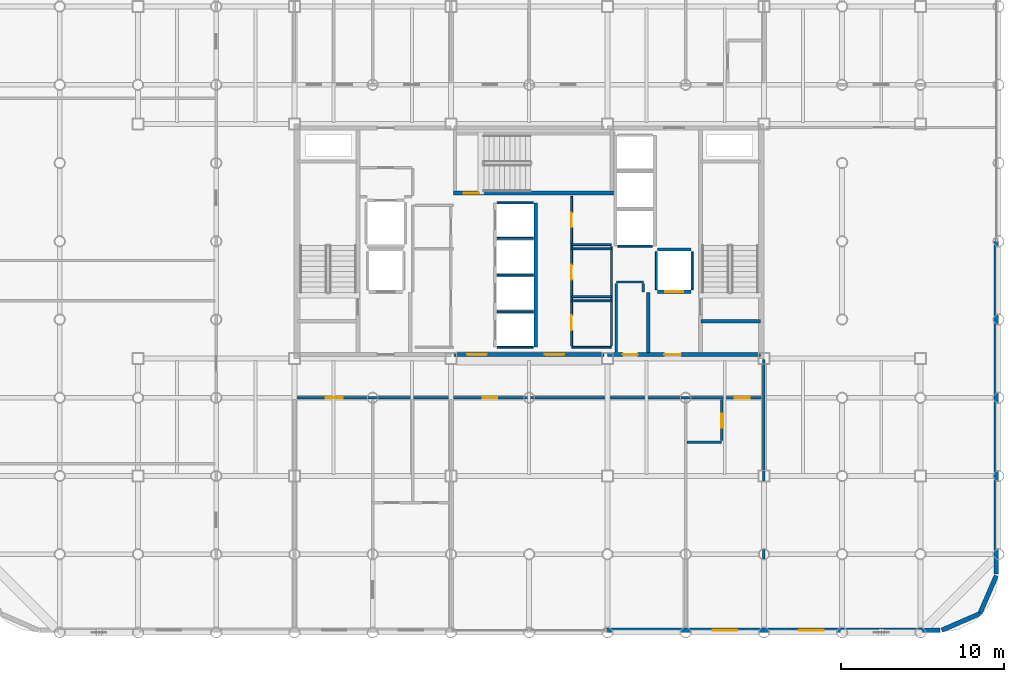
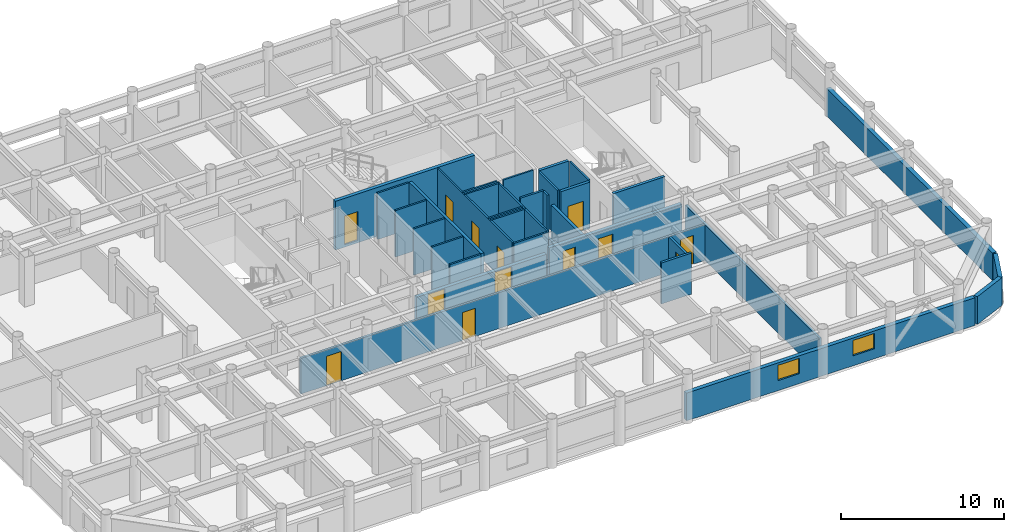
# One storey, part 17 of 20: 34 walls, 13 doors, 2 windows, 15 openings.
"""IFC4 building model written with IfcOpenShell, lengths in metres."""

from ifc_helpers import new_model, si_unit, direction, frame, frame_2d, origin, place, context, subcontext, project, spatial, rectangle, extrude, material, layer, layer_set, type_object, element, fill, save


model = new_model("IFC4")

# Units and contexts
model_context = context("Model", 3, precision=1e-05, world=origin(), true_north=direction((0.0, 1.0)))
body_context = subcontext(model_context, "Body", "Model", "MODEL_VIEW")
ifc_project = project(units=[si_unit("LENGTHUNIT", "METRE"), si_unit("AREAUNIT", "SQUARE_METRE"), si_unit("VOLUMEUNIT", "CUBIC_METRE"), si_unit("PLANEANGLEUNIT", "RADIAN"), si_unit("MASSUNIT", "GRAM", prefix="KILO")], contexts=[model_context])

# Site, building, storey
site_placement = place(None, origin())
site = spatial("IfcSite", under=ifc_project, at=site_placement, CompositionType="ELEMENT")
building_placement = place(site_placement, origin())
building = spatial("IfcBuilding", under=site, at=building_placement, Name="Kallvorn Hotel Tower", CompositionType="ELEMENT")
storey_placement = place(building_placement, frame((0.0, 0.0, 176.60009765625)))
storey = spatial("IfcBuildingStorey", under=building, at=storey_placement, Name="L44", CompositionType="ELEMENT", Elevation=176.60009765625)

# Wall
ifc_material_1 = material(Name="Fire-rated double-layer acoustic gypsum drywall EI 60")
ifc_layer_1 = layer(ifc_material_1, 0.159912109375)
ifc_layer_set_1 = layer_set([ifc_layer_1], Name="WL_DEMISE_160")
wall_type_1 = type_object("IfcWallType", Name="WL_DEMISE_160", PredefinedType="PARTITIONING", material=ifc_layer_set_1)
wall_1_placement = place(storey_placement, frame((9.679931640625, -12.320068359375, 0.0), z_axis=(0.0, 0.0, 1.0), x_axis=(1.0, 0.0, 0.0)))
element("IfcWall", 1, at=wall_1_placement, inside=storey, type_object=wall_type_1, Name="L44 Suite 4402 Deluxe King Room Partition", PredefinedType="PARTITIONING", context=body_context, shape_type="SweptSolid", body=[
    extrude(rectangle(XDim=2.130126953125, YDim=0.159912109375, at=frame_2d((1.06494140625, 0.0))), origin(), (0.0, 0.0, 1.0), 3.079833984375),
])

# Wall, openings, doors
wall_2_placement = place(storey_placement, frame((-14.320068359375, -9.60009765625, 0.0), z_axis=(0.0, 0.0, 1.0), x_axis=(1.0, 0.0, 0.0)))
wall_2 = element("IfcWall", 2, at=wall_2_placement, inside=storey, type_object=wall_type_1, Name="L44 Suite 4401 Executive Living Salon Partition", PredefinedType="PARTITIONING", context=body_context, shape_type="SweptSolid", body=[
    extrude(rectangle(XDim=28.64013671875, YDim=0.159912109375, at=frame_2d((14.320068359375, 0.0))), origin(), (0.0, 0.0, 1.0), 2.679931640625),
])
opening_1_placement = place(wall_2_placement, frame((1.8349609375, 0.0, 0.0)))
opening_1 = element("IfcOpeningElement", 3, at=opening_1_placement, cuts=wall_2, Name="Opening GD2", PredefinedType="OPENING", context=body_context, shape_type="SweptSolid", body=[
    extrude(rectangle(XDim=1.050048828125, YDim=2.199951171875, at=frame_2d((0.52490234375, 1.10009765625))), frame((0.0, 0.094970703125, 0.0), z_axis=(0.0, -1.0, 0.0), x_axis=(1.0, 0.0, 0.0)), (0.0, 0.0, 1.0), 0.18994140625),
])
opening_2_placement = place(wall_2_placement, frame((11.469970703125, 0.0, 0.0)))
opening_2 = element("IfcOpeningElement", 4, at=opening_2_placement, cuts=wall_2, Name="Opening SVD1", PredefinedType="OPENING", context=body_context, shape_type="SweptSolid", body=[
    extrude(rectangle(XDim=0.89990234375, YDim=2.10009765625, at=frame_2d((0.449951171875, 1.050048828125))), frame((0.0, 0.094970703125, 0.0), z_axis=(0.0, -1.0, 0.0), x_axis=(1.0, 0.0, 0.0)), (0.0, 0.0, 1.0), 0.18994140625),
])
opening_3_placement = place(wall_2_placement, frame((26.925048828125, 0.0, 0.0)))
opening_3 = element("IfcOpeningElement", 5, at=opening_3_placement, cuts=wall_2, Name="Opening GD1", PredefinedType="OPENING", context=body_context, shape_type="SweptSolid", body=[
    extrude(rectangle(XDim=0.919921875, YDim=2.14990234375, at=frame_2d((0.4599609375, 1.074951171875))), frame((0.0, 0.094970703125, 0.0), z_axis=(0.0, -1.0, 0.0), x_axis=(1.0, 0.0, 0.0)), (0.0, 0.0, 1.0), 0.18994140625),
])
ifc_material_2 = material(Name="Solid-core walnut veneer fire-rated timber door leaf", Category="wood")
door_type_1 = type_object("IfcDoorType", Name="DR_GUEST_920x2150", OperationType="NOTDEFINED", PredefinedType="DOOR", material=ifc_material_2)
door_1_placement = place(opening_3_placement, origin())
door_1 = element("IfcDoor", 6, at=door_1_placement, inside=storey, type_object=door_type_1, Name="L44 Suite 4402 Deluxe King Room Door", OperationType="SINGLE_SWING_LEFT", OverallHeight=2.14990234375, OverallWidth=0.919921875, PredefinedType="DOOR", context=body_context, shape_type="SweptSolid", body=[
    extrude(rectangle(XDim=0.919921875, YDim=2.14990234375, at=frame_2d((0.4599609375, 1.074951171875))), frame((0.0, 0.02490234375, 0.0), z_axis=(0.0, -1.0, 0.0), x_axis=(1.0, 0.0, 0.0)), (0.0, 0.0, 1.0), 0.050048828125),
])
fill(opening_3, door_1)
ifc_material_3 = material(Name="Galvanised painted steel fire-rated door assembly", Category="steel")
door_type_2 = type_object("IfcDoorType", Name="DR_SERV_900x2100", OperationType="NOTDEFINED", PredefinedType="DOOR", material=ifc_material_3)
door_2_placement = place(opening_2_placement, origin())
door_2 = element("IfcDoor", 7, at=door_2_placement, inside=storey, type_object=door_type_2, Name="L44 L44 Panoramic Club Sky Lounge 2 Door", OperationType="SINGLE_SWING_LEFT", OverallHeight=2.10009765625, OverallWidth=0.89990234375, PredefinedType="DOOR", context=body_context, shape_type="SweptSolid", body=[
    extrude(rectangle(XDim=0.89990234375, YDim=2.10009765625, at=frame_2d((0.449951171875, 1.050048828125))), frame((0.0, 0.02490234375, 0.0), z_axis=(0.0, -1.0, 0.0), x_axis=(1.0, 0.0, 0.0)), (0.0, 0.0, 1.0), 0.050048828125),
])
fill(opening_2, door_2)
ifc_material_4 = material(Name="Solid-core walnut veneer fire-rated timber door leaf", Category="wood")
door_type_3 = type_object("IfcDoorType", Name="DR_SUITE_1050x2200", OperationType="NOTDEFINED", PredefinedType="DOOR", material=ifc_material_4)
door_3_placement = place(opening_1_placement, origin())
door_3 = element("IfcDoor", 8, at=door_3_placement, inside=storey, type_object=door_type_3, Name="L44 Suite 4401 Executive Living Salon Door", OperationType="SINGLE_SWING_RIGHT", OverallHeight=2.199951171875, OverallWidth=1.050048828125, PredefinedType="DOOR", context=body_context, shape_type="SweptSolid", body=[
    extrude(rectangle(XDim=1.050048828125, YDim=2.199951171875, at=frame_2d((0.52490234375, 1.10009765625))), frame((0.0, 0.02490234375, 0.0), z_axis=(0.0, -1.0, 0.0), x_axis=(1.0, 0.0, 0.0)), (0.0, 0.0, 1.0), 0.050048828125),
])
fill(opening_1, door_3)

# Wall, opening, door
wall_3_placement = place(storey_placement, frame((11.81005859375, -12.235107421875, 0.0), z_axis=(0.0, 0.0, 1.0), x_axis=(0.0, 1.0, 0.0)))
wall_3 = element("IfcWall", 9, at=wall_3_placement, inside=storey, type_object=wall_type_1, Name="L44 Suite 4402 Deluxe King Room Partition", PredefinedType="PARTITIONING", context=body_context, shape_type="SweptSolid", body=[
    extrude(rectangle(XDim=2.51513671875, YDim=0.159912109375, at=frame_2d((1.257568359375, 0.0))), origin(), (0.0, 0.0, 1.0), 2.679931640625),
])
opening_4_placement = place(wall_3_placement, frame((0.784912109375, 0.0, 0.0)))
opening_4 = element("IfcOpeningElement", 10, at=opening_4_placement, cuts=wall_3, Name="Opening BD-I", PredefinedType="OPENING", context=body_context, shape_type="SweptSolid", body=[
    extrude(rectangle(XDim=0.860107421875, YDim=2.10009765625, at=frame_2d((0.43017578125, 1.050048828125))), frame((0.0, 0.094970703125, 0.0), z_axis=(0.0, -1.0, 0.0), x_axis=(1.0, 0.0, 0.0)), (0.0, 0.0, 1.0), 0.18994140625),
])
ifc_material_5 = material(Name="Solid-core walnut veneer fire-rated timber door leaf", Category="wood")
door_type_4 = type_object("IfcDoorType", Name="DR_BATH_860x2100", OperationType="NOTDEFINED", PredefinedType="DOOR", material=ifc_material_5)
door_4_placement = place(opening_4_placement, origin())
door_4 = element("IfcDoor", 11, at=door_4_placement, inside=storey, type_object=door_type_4, Name="L44 Suite 4402 En-Suite Bathroom Door", OperationType="SINGLE_SWING_LEFT", OverallHeight=2.10009765625, OverallWidth=0.860107421875, PredefinedType="DOOR", context=body_context, shape_type="SweptSolid", body=[
    extrude(rectangle(XDim=0.860107421875, YDim=2.10009765625, at=frame_2d((0.43017578125, 1.050048828125))), frame((0.0, 0.02490234375, 0.0), z_axis=(0.0, -1.0, 0.0), x_axis=(1.0, 0.0, 0.0)), (0.0, 0.0, 1.0), 0.050048828125),
])
fill(opening_4, door_4)

# Walls
wall_4_placement = place(storey_placement, frame((14.39990234375, -23.7099609375, 0.0), z_axis=(0.0, 0.0, 1.0), x_axis=(0.0, 1.0, 0.0)))
element("IfcWall", 12, at=wall_4_placement, inside=storey, type_object=wall_type_1, Name="L44 Suite 4402 Deluxe King Room Partition", PredefinedType="PARTITIONING", context=body_context, shape_type="SweptSolid", body=[
    extrude(rectangle(XDim=16.469970703125, YDim=0.159912109375, at=frame_2d((8.23486328125, 0.0))), origin(), (0.0, 0.0, 1.0), 2.679931640625),
])
ifc_material_6 = material(Name="Precast basalt-clad insulated concrete wall C40/50", Category="masonry")
ifc_layer_2 = layer(ifc_material_6, 0.280029296875)
ifc_layer_set_2 = layer_set([ifc_layer_2], Name="WL_EXT_LOGGIA_280")
wall_type_2 = type_object("IfcWallType", Name="WL_EXT_LOGGIA_280", PredefinedType="SOLIDWALL", material=ifc_layer_set_2)
wall_5_placement = place(storey_placement, frame((25.32080078125, -23.85791015625, 0.0), z_axis=(0.0, 0.0, 1.0), x_axis=(0.917060872934, 0.398747232384, 0.0)))
element("IfcWall", 13, at=wall_5_placement, inside=storey, type_object=wall_type_2, Name="L44 Rounded Corner Exterior Wall SE1", PredefinedType="SOLIDWALL", context=body_context, shape_type="SweptSolid", body=[
    extrude(rectangle(XDim=2.5361328125, YDim=0.280029296875, at=frame_2d((1.26806640625, 0.0))), origin(), (0.0, 0.0, 1.0), 2.079833984375),
])
wall_6_placement = place(storey_placement, frame((27.646484375, -22.8466796875, 0.0), z_axis=(0.0, 0.0, 1.0), x_axis=(0.398792985289, 0.917040977756, 0.0)))
element("IfcWall", 14, at=wall_6_placement, inside=storey, type_object=wall_type_2, Name="L44 Rounded Corner Exterior Wall SE2", PredefinedType="SOLIDWALL", context=body_context, shape_type="SweptSolid", body=[
    extrude(rectangle(XDim=2.536376953125, YDim=0.280029296875, at=frame_2d((1.26806640625, 0.0))), origin(), (0.0, 0.0, 1.0), 2.079833984375),
])

# Wall, openings, windows
wall_7_placement = place(storey_placement, frame((4.75, -23.860107421875, 0.0), z_axis=(0.0, 0.0, 1.0), x_axis=(1.0, 0.0, 0.0)))
wall_7 = element("IfcWall", 15, at=wall_7_placement, inside=storey, type_object=wall_type_2, Name="L44 Exterior Envelope Wall EW-L44-SE", PredefinedType="SOLIDWALL", context=body_context, shape_type="SweptSolid", body=[
    extrude(rectangle(XDim=20.449951171875, YDim=0.280029296875, at=frame_2d((10.22509765625, 0.0))), origin(), (0.0, 0.0, 1.0), 2.079833984375),
])
opening_5_placement = place(wall_7_placement, frame((11.81689453125, 0.0, 0.75)))
opening_5 = element("IfcOpeningElement", 16, at=opening_5_placement, cuts=wall_7, Name="Opening W05A", PredefinedType="OPENING", context=body_context, shape_type="SweptSolid", body=[
    extrude(rectangle(XDim=1.5, YDim=1.14990234375, at=frame_2d((0.75, 0.574951171875))), frame((0.0, 0.155029296875, 0.0), z_axis=(0.0, -1.0, 0.0), x_axis=(1.0, 0.0, 0.0)), (0.0, 0.0, 1.0), 0.31005859375),
])
opening_6_placement = place(wall_7_placement, frame((6.5, 0.0, 0.75)))
opening_6 = element("IfcOpeningElement", 17, at=opening_6_placement, cuts=wall_7, Name="Opening W05A", PredefinedType="OPENING", context=body_context, shape_type="SweptSolid", body=[
    extrude(rectangle(XDim=1.5, YDim=1.14990234375, at=frame_2d((0.75, 0.574951171875))), frame((0.0, 0.155029296875, 0.0), z_axis=(0.0, -1.0, 0.0), x_axis=(1.0, 0.0, 0.0)), (0.0, 0.0, 1.0), 0.31005859375),
])
ifc_material_7 = material(Name="Double-glazed low-e solar-control dark glass", Category="glass")
window_type = type_object("IfcWindowType", Name="WN_HTL_1500x1150", PartitioningType="SINGLE_PANEL", PredefinedType="WINDOW", material=ifc_material_7)
window_1_placement = place(opening_5_placement, origin())
window_1 = element("IfcWindow", 18, at=window_1_placement, inside=storey, type_object=window_type, Name="L44 Guestroom Exterior Window 05", OverallHeight=1.14990234375, OverallWidth=1.5, PartitioningType="SINGLE_PANEL", PredefinedType="WINDOW", context=body_context, shape_type="SweptSolid", body=[
    extrude(rectangle(XDim=1.5, YDim=1.14990234375, at=frame_2d((0.75, 0.574951171875))), frame((0.0, 0.030029296875, 0.0), z_axis=(0.0, -1.0, 0.0), x_axis=(1.0, 0.0, 0.0)), (0.0, 0.0, 1.0), 0.06005859375),
])
fill(opening_5, window_1)
window_2_placement = place(opening_6_placement, origin())
window_2 = element("IfcWindow", 19, at=window_2_placement, inside=storey, type_object=window_type, Name="L44 Guestroom Exterior Window 08", OverallHeight=1.14990234375, OverallWidth=1.5, PartitioningType="SINGLE_PANEL", PredefinedType="WINDOW", context=body_context, shape_type="SweptSolid", body=[
    extrude(rectangle(XDim=1.5, YDim=1.14990234375, at=frame_2d((0.75, 0.574951171875))), frame((0.0, 0.030029296875, 0.0), z_axis=(0.0, -1.0, 0.0), x_axis=(1.0, 0.0, 0.0)), (0.0, 0.0, 1.0), 0.06005859375),
])
fill(opening_6, window_2)

# Walls
wall_8_placement = place(storey_placement, frame((28.659912109375, -20.39990234375, 0.0), z_axis=(0.0, 0.0, 1.0), x_axis=(0.0, 1.0, 0.0)))
element("IfcWall", 20, at=wall_8_placement, inside=storey, type_object=wall_type_2, Name="L44 Exterior Envelope Wall EW-L44-ES", PredefinedType="SOLIDWALL", context=body_context, shape_type="SweptSolid", body=[
    extrude(rectangle(XDim=20.3798828125, YDim=0.280029296875, at=frame_2d((10.18994140625, 0.0))), origin(), (0.0, 0.0, 1.0), 2.079833984375),
])
ifc_material_8 = material(Name="Concrete C40/50", Category="concrete")
ifc_layer_3 = layer(ifc_material_8, 0.219970703125)
ifc_layer_set_3 = layer_set([ifc_layer_3], Name="WL_FFL_220")
wall_type_3 = type_object("IfcWallType", Name="WL_FFL_220", PredefinedType="SOLIDWALL", material=ifc_layer_set_3)
wall_9_placement = place(storey_placement, frame((7.300048828125, -6.820068359375, 0.0), z_axis=(0.0, 0.0, 1.0), x_axis=(0.0, 1.0, 0.0)))
element("IfcWall", 21, at=wall_9_placement, inside=storey, type_object=wall_type_3, Name="L44 Firefighting Lobby East Divider Wall", PredefinedType="SOLIDWALL", context=body_context, shape_type="SweptSolid", body=[
    extrude(rectangle(XDim=3.670166015625, YDim=0.219970703125, at=frame_2d((1.8349609375, 0.0))), origin(), (0.0, 0.0, 1.0), 2.679931640625),
])
ifc_material_9 = material(Name="Concrete C40/50", Category="concrete")
ifc_layer_4 = layer(ifc_material_9, 0.199951171875)
ifc_layer_set_4 = layer_set([ifc_layer_4], Name="WL_HOIST_200")
wall_type_4 = type_object("IfcWallType", Name="WL_HOIST_200", PredefinedType="SOLIDWALL", material=ifc_layer_set_4)
wall_10_placement = place(storey_placement, frame((10.550048828125, -4.89990234375, -0.18017578125), z_axis=(0.0, 0.0, 1.0), x_axis=(1.0, 0.0, 0.0)))
element("IfcWall", 22, at=wall_10_placement, inside=storey, type_object=wall_type_4, Name="L44 Stair ST2 South Wall", PredefinedType="SOLIDWALL", context=body_context, shape_type="SweptSolid", body=[
    extrude(rectangle(XDim=3.64990234375, YDim=0.199951171875, at=frame_2d((1.824951171875, 0.0))), origin(), (0.0, 0.0, 1.0), 3.66015625),
])
wall_11_placement = place(storey_placement, frame((0.39990234375, -6.5, 0.0), z_axis=(0.0, 0.0, 1.0), x_axis=(0.0, 1.0, 0.0)))
element("IfcWall", 23, at=wall_11_placement, inside=storey, type_object=wall_type_4, Name="L44 Lift Bank B2 Rear Shaft Wall", PredefinedType="SOLIDWALL", context=body_context, shape_type="SweptSolid", body=[
    extrude(rectangle(XDim=8.85009765625, YDim=0.199951171875, at=frame_2d((4.425048828125, 0.0))), origin(), (0.0, 0.0, 1.0), 3.47998046875),
])

# Wall, opening, door
wall_12_placement = place(storey_placement, frame((7.8798828125, -3.10009765625, 0.0), z_axis=(0.0, 0.0, 1.0), x_axis=(1.0, 0.0, 0.0)))
wall_12 = element("IfcWall", 24, at=wall_12_placement, inside=storey, type_object=wall_type_4, Name="L44 FL-2 Landing Wall", PredefinedType="SOLIDWALL", context=body_context, shape_type="SweptSolid", body=[
    extrude(rectangle(XDim=2.0400390625, YDim=0.199951171875, at=frame_2d((1.02001953125, 0.0))), origin(), (0.0, 0.0, 1.0), 3.47998046875),
])
opening_7_placement = place(wall_12_placement, frame((0.469970703125, 0.0, 0.0)))
opening_7 = element("IfcOpeningElement", 25, at=opening_7_placement, cuts=wall_12, Name="Opening LD-FL-2", PredefinedType="OPENING", context=body_context, shape_type="SweptSolid", body=[
    extrude(rectangle(XDim=1.10009765625, YDim=2.199951171875, at=frame_2d((0.550048828125, 1.10009765625))), frame((0.0, 0.114990234375, 0.0), z_axis=(0.0, -1.0, 0.0), x_axis=(1.0, 0.0, 0.0)), (0.0, 0.0, 1.0), 0.22998046875),
])
ifc_material_10 = material(Name="Brushed stainless-steel automatic sliding lift landing door", Category="steel")
door_type_5 = type_object("IfcDoorType", Name="LD_PASS_1100x2200", OperationType="SLIDING_TO_LEFT", PredefinedType="DOOR", material=ifc_material_10)
door_5_placement = place(opening_7_placement, origin())
door_5 = element("IfcDoor", 26, at=door_5_placement, inside=storey, type_object=door_type_5, Name="L44 Lift Landing Sliding Door LD-FL-2", OperationType="SLIDING_TO_LEFT", OverallHeight=2.199951171875, OverallWidth=1.10009765625, PredefinedType="DOOR", context=body_context, shape_type="SweptSolid", body=[
    extrude(rectangle(XDim=1.10009765625, YDim=2.199951171875, at=frame_2d((0.550048828125, 1.10009765625))), frame((0.0, 0.02490234375, 0.0), z_axis=(0.0, -1.0, 0.0), x_axis=(1.0, 0.0, 0.0)), (0.0, 0.0, 1.0), 0.050048828125),
])
fill(opening_7, door_5)

# Walls
wall_13_placement = place(storey_placement, frame((7.8798828125, -0.5, 0.0), z_axis=(0.0, 0.0, 1.0), x_axis=(1.0, 0.0, 0.0)))
element("IfcWall", 27, at=wall_13_placement, inside=storey, type_object=wall_type_4, Name="L44 FL-2 Rear Shaft Wall", PredefinedType="SOLIDWALL", context=body_context, shape_type="SweptSolid", body=[
    extrude(rectangle(XDim=2.0400390625, YDim=0.199951171875, at=frame_2d((1.02001953125, 0.0))), origin(), (0.0, 0.0, 1.0), 3.47998046875),
])
ifc_material_11 = material(Name="Fire-rated double-layer acoustic gypsum drywall EI 60")
ifc_layer_5 = layer(ifc_material_11, 0.1201171875)
ifc_layer_set_5 = layer_set([ifc_layer_5], Name="WL_INT_120")
wall_type_5 = type_object("IfcWallType", Name="WL_INT_120", PredefinedType="PARTITIONING", material=ifc_layer_set_5)
for number, where, z_axis, x_axis, name in (
    (28, (-1.9599609375, -6.5, 0.0), (0.0, 0.0, 1.0), (1.0, 0.0, 0.0), "L44 Lift Bank B2 South Closure Wall"),
    (29, (-1.9599609375, -4.324951171875, 0.0), (0.0, 0.0, 1.0), (1.0, 0.0, 0.0), "L44 PL-05 Hoistway Divider"),
    (30, (-1.9599609375, -2.074951171875, 0.0), (0.0, 0.0, 1.0), (1.0, 0.0, 0.0), "L44 PL-06 Hoistway Divider"),
    (31, (-1.9599609375, 0.175048828125, 0.0), (0.0, 0.0, 1.0), (1.0, 0.0, 0.0), "L44 PL-07 Hoistway Divider"),
    (32, (-1.9599609375, 2.35009765625, 0.0), (0.0, 0.0, 1.0), (1.0, 0.0, 0.0), "L44 PL-08 Hoistway Divider"),
):
    element("IfcWall", number, at=place(storey_placement, frame(where, z_axis=z_axis, x_axis=x_axis)), inside=storey, type_object=wall_type_5, Name=name, PredefinedType="PARTITIONING", context=body_context, shape_type="SweptSolid", body=[
        extrude(rectangle(XDim=2.219970703125, YDim=0.1201171875, at=frame_2d((1.10986328125, 0.0))), origin(), (0.0, 0.0, 1.0), 3.47998046875),
    ])
wall_14_placement = place(storey_placement, frame((5.43994140625, -0.300048828125, 0.0), z_axis=(0.0, 0.0, 1.0), x_axis=(1.0, 0.0, 0.0)))
element("IfcWall", 33, at=wall_14_placement, inside=storey, type_object=wall_type_5, Name="L44 Lift Bank OBS South Closure Wall", PredefinedType="PARTITIONING", context=body_context, shape_type="SweptSolid", body=[
    extrude(rectangle(XDim=2.1201171875, YDim=0.1201171875, at=frame_2d((1.06005859375, 0.0))), origin(), (0.0, 0.0, 1.0), 3.47998046875),
])
for number, where, z_axis, x_axis, name in (
    (34, (7.800048828125, -2.9599609375, 0.0), (0.0, 0.0, 1.0), (0.0, 1.0, 0.0), "L44 FL-2 West Shaft Wall"),
    (35, (10.0, -2.9599609375, 0.0), (0.0, 0.0, 1.0), (0.0, 1.0, 0.0), "L44 FL-2 East Shaft Wall"),
):
    element("IfcWall", number, at=place(storey_placement, frame(where, z_axis=z_axis, x_axis=x_axis)), inside=storey, type_object=wall_type_5, Name=name, PredefinedType="PARTITIONING", context=body_context, shape_type="SweptSolid", body=[
        extrude(rectangle(XDim=2.320068359375, YDim=0.1201171875, at=frame_2d((1.16015625, 0.0))), origin(), (0.0, 0.0, 1.0), 3.47998046875),
    ])
for number, where, z_axis, x_axis, name in (
    (36, (2.60009765625, -6.5, 0.0), (0.0, 0.0, 1.0), (1.0, 0.0, 0.0), "L44 East Core Minibar Store Partition"),
    (37, (2.60009765625, -3.659912109375, 0.0), (0.0, 0.0, 1.0), (1.0, 0.0, 0.0), "L44 East Core Minibar Store Partition"),
    (38, (2.60009765625, -3.39990234375, 0.0), (0.0, 0.0, 1.0), (1.0, 0.0, 0.0), "L44 East Core Housekeeping Supply Closet Partition"),
    (39, (2.60009765625, -0.466796875, 0.0), (0.0, 0.0, 1.0), (1.0, 0.0, 0.0), "L44 East Core Housekeeping Supply Closet Partition"),
    (40, (2.60009765625, -0.199951171875, 0.0), (0.0, 0.0, 1.0), (1.0, 0.0, 0.0), "L44 East Core Cleaners Room Partition"),
):
    element("IfcWall", number, at=place(storey_placement, frame(where, z_axis=z_axis, x_axis=x_axis)), inside=storey, type_object=wall_type_5, Name=name, PredefinedType="PARTITIONING", context=body_context, shape_type="SweptSolid", body=[
        extrude(rectangle(XDim=2.449951171875, YDim=0.1201171875, at=frame_2d((1.22509765625, 0.0))), origin(), (0.0, 0.0, 1.0), 3.47998046875),
    ])

# Wall, openings, doors
wall_15_placement = place(storey_placement, frame((2.60009765625, -6.4150390625, 0.0), z_axis=(0.0, 0.0, 1.0), x_axis=(0.0, 1.0, 0.0)))
wall_15 = element("IfcWall", 41, at=wall_15_placement, inside=storey, type_object=wall_type_5, Name="L44 East Core Minibar Store Partition", PredefinedType="PARTITIONING", context=body_context, shape_type="SweptSolid", body=[
    extrude(rectangle(XDim=9.1650390625, YDim=0.1201171875, at=frame_2d((4.58251953125, 0.0))), origin(), (0.0, 0.0, 1.0), 3.47998046875),
])
opening_8_placement = place(wall_15_placement, frame((0.965087890625, 0.0, 0.0)))
opening_8 = element("IfcOpeningElement", 42, at=opening_8_placement, cuts=wall_15, Name="Opening SVD1", PredefinedType="OPENING", context=body_context, shape_type="SweptSolid", body=[
    extrude(rectangle(XDim=0.89990234375, YDim=2.10009765625, at=frame_2d((0.449951171875, 1.050048828125))), frame((0.0, 0.074951171875, 0.0), z_axis=(0.0, -1.0, 0.0), x_axis=(1.0, 0.0, 0.0)), (0.0, 0.0, 1.0), 0.150146484375),
])
opening_9_placement = place(wall_15_placement, frame((4.06494140625, 0.0, 0.0)))
opening_9 = element("IfcOpeningElement", 43, at=opening_9_placement, cuts=wall_15, Name="Opening SVD1", PredefinedType="OPENING", context=body_context, shape_type="SweptSolid", body=[
    extrude(rectangle(XDim=0.89990234375, YDim=2.10009765625, at=frame_2d((0.449951171875, 1.050048828125))), frame((0.0, 0.074951171875, 0.0), z_axis=(0.0, -1.0, 0.0), x_axis=(1.0, 0.0, 0.0)), (0.0, 0.0, 1.0), 0.150146484375),
])
opening_10_placement = place(wall_15_placement, frame((7.264892578125, 0.0, 0.0)))
opening_10 = element("IfcOpeningElement", 44, at=opening_10_placement, cuts=wall_15, Name="Opening SVD1", PredefinedType="OPENING", context=body_context, shape_type="SweptSolid", body=[
    extrude(rectangle(XDim=0.89990234375, YDim=2.10009765625, at=frame_2d((0.449951171875, 1.050048828125))), frame((0.0, 0.074951171875, 0.0), z_axis=(0.0, -1.0, 0.0), x_axis=(1.0, 0.0, 0.0)), (0.0, 0.0, 1.0), 0.150146484375),
])
door_6_placement = place(opening_8_placement, origin())
door_6 = element("IfcDoor", 45, at=door_6_placement, inside=storey, type_object=door_type_2, Name="L44 East Core Minibar Store Door", OperationType="SINGLE_SWING_LEFT", OverallHeight=2.10009765625, OverallWidth=0.89990234375, PredefinedType="DOOR", context=body_context, shape_type="SweptSolid", body=[
    extrude(rectangle(XDim=0.89990234375, YDim=2.10009765625, at=frame_2d((0.449951171875, 1.050048828125))), frame((0.0, 0.02490234375, 0.0), z_axis=(0.0, -1.0, 0.0), x_axis=(1.0, 0.0, 0.0)), (0.0, 0.0, 1.0), 0.050048828125),
])
fill(opening_8, door_6)
door_7_placement = place(opening_9_placement, origin())
door_7 = element("IfcDoor", 46, at=door_7_placement, inside=storey, type_object=door_type_2, Name="L44 East Core Housekeeping Supply Closet Door", OperationType="SINGLE_SWING_RIGHT", OverallHeight=2.10009765625, OverallWidth=0.89990234375, PredefinedType="DOOR", context=body_context, shape_type="SweptSolid", body=[
    extrude(rectangle(XDim=0.89990234375, YDim=2.10009765625, at=frame_2d((0.449951171875, 1.050048828125))), frame((0.0, 0.02490234375, 0.0), z_axis=(0.0, -1.0, 0.0), x_axis=(1.0, 0.0, 0.0)), (0.0, 0.0, 1.0), 0.050048828125),
])
fill(opening_9, door_7)
door_8_placement = place(opening_10_placement, origin())
door_8 = element("IfcDoor", 47, at=door_8_placement, inside=storey, type_object=door_type_2, Name="L44 East Core Cleaners Room Door", OperationType="SINGLE_SWING_LEFT", OverallHeight=2.10009765625, OverallWidth=0.89990234375, PredefinedType="DOOR", context=body_context, shape_type="SweptSolid", body=[
    extrude(rectangle(XDim=0.89990234375, YDim=2.10009765625, at=frame_2d((0.449951171875, 1.050048828125))), frame((0.0, 0.02490234375, 0.0), z_axis=(0.0, -1.0, 0.0), x_axis=(1.0, 0.0, 0.0)), (0.0, 0.0, 1.0), 0.050048828125),
])
fill(opening_10, door_8)

# Walls
wall_16_placement = place(storey_placement, frame((5.050048828125, -6.4150390625, 0.0), z_axis=(0.0, 0.0, 1.0), x_axis=(0.0, 1.0, 0.0)))
element("IfcWall", 48, at=wall_16_placement, inside=storey, type_object=wall_type_5, Name="L44 East Core Minibar Store Partition", PredefinedType="PARTITIONING", context=body_context, shape_type="SweptSolid", body=[
    extrude(rectangle(XDim=6.074951171875, YDim=0.1201171875, at=frame_2d((3.03759765625, 0.0))), origin(), (0.0, 0.0, 1.0), 3.47998046875),
])
ifc_material_12 = material(Name="Moisture-resistant acoustic plumbing chase wall EI 60")
ifc_layer_6 = layer(ifc_material_12, 0.139892578125)
ifc_layer_set_6 = layer_set([ifc_layer_6], Name="WL_PLUMB_140")
wall_type_6 = type_object("IfcWallType", Name="WL_PLUMB_140", PredefinedType="PLUMBINGWALL", material=ifc_layer_set_6)
wall_17_placement = place(storey_placement, frame((5.35009765625, -2.5, 0.0), z_axis=(0.0, 0.0, 1.0), x_axis=(1.0, 0.0, 0.0)))
element("IfcWall", 49, at=wall_17_placement, inside=storey, type_object=wall_type_6, Name="L44 Core Accessible Staff WC Partition", PredefinedType="PLUMBINGWALL", context=body_context, shape_type="SweptSolid", body=[
    extrude(rectangle(XDim=1.64990234375, YDim=0.139892578125, at=frame_2d((0.824951171875, 0.0))), origin(), (0.0, 0.0, 1.0), 3.47998046875),
])
wall_18_placement = place(storey_placement, frame((5.35009765625, -6.800048828125, 0.0), z_axis=(0.0, 0.0, 1.0), x_axis=(0.0, 1.0, 0.0)))
element("IfcWall", 50, at=wall_18_placement, inside=storey, type_object=wall_type_6, Name="L44 Core Accessible Staff WC Partition", PredefinedType="PLUMBINGWALL", context=body_context, shape_type="SweptSolid", body=[
    extrude(rectangle(XDim=4.215087890625, YDim=0.139892578125, at=frame_2d((2.107421875, 0.0))), origin(), (0.0, 0.0, 1.0), 2.679931640625),
])
wall_19_placement = place(storey_placement, frame((7.0, -3.110107421875, 0.0), z_axis=(0.0, 0.0, 1.0), x_axis=(0.0, 1.0, 0.0)))
element("IfcWall", 51, at=wall_19_placement, inside=storey, type_object=wall_type_6, Name="L44 Core Accessible Staff WC Partition", PredefinedType="PLUMBINGWALL", context=body_context, shape_type="SweptSolid", body=[
    extrude(rectangle(XDim=0.525146484375, YDim=0.139892578125, at=frame_2d((0.2626953125, 0.0))), origin(), (0.0, 0.0, 1.0), 3.47998046875),
])

# Wall, openings, doors
ifc_material_13 = material(Name="Concrete C40/50", Category="concrete")
ifc_layer_7 = layer(ifc_material_13, 0.25)
ifc_layer_set_7 = layer_set([ifc_layer_7], Name="WL_SHAFT_250")
wall_type_7 = type_object("IfcWallType", Name="WL_SHAFT_250", PredefinedType="SOLIDWALL", material=ifc_layer_set_7)
wall_20_placement = place(storey_placement, frame((-4.60009765625, -6.949951171875, 0.0), z_axis=(0.0, 0.0, 1.0), x_axis=(1.0, 0.0, 0.0)))
wall_20 = element("IfcWall", 52, at=wall_20_placement, inside=storey, type_object=wall_type_7, Name="L44 Core South-Central Wall", PredefinedType="SOLIDWALL", context=body_context, shape_type="SweptSolid", body=[
    extrude(rectangle(XDim=9.2001953125, YDim=0.25, at=frame_2d((4.60009765625, 0.0))), origin(), (0.0, 0.0, 1.0), 2.27978515625),
])
opening_11_placement = place(wall_20_placement, frame((0.800048828125, 0.0, 0.0)))
opening_11 = element("IfcOpeningElement", 53, at=opening_11_placement, cuts=wall_20, Name="Opening FD2", PredefinedType="OPENING", context=body_context, shape_type="SweptSolid", body=[
    extrude(rectangle(XDim=1.199951171875, YDim=2.199951171875, at=frame_2d((0.60009765625, 1.10009765625))), frame((0.0, 0.139892578125, 0.0), z_axis=(0.0, -1.0, 0.0), x_axis=(1.0, 0.0, 0.0)), (0.0, 0.0, 1.0), 0.280029296875),
])
opening_12_placement = place(wall_20_placement, frame((5.550048828125, 0.0, 0.0)))
opening_12 = element("IfcOpeningElement", 54, at=opening_12_placement, cuts=wall_20, Name="Opening FD2", PredefinedType="OPENING", context=body_context, shape_type="SweptSolid", body=[
    extrude(rectangle(XDim=1.199951171875, YDim=2.199951171875, at=frame_2d((0.60009765625, 1.10009765625))), frame((0.0, 0.139892578125, 0.0), z_axis=(0.0, -1.0, 0.0), x_axis=(1.0, 0.0, 0.0)), (0.0, 0.0, 1.0), 0.280029296875),
])
ifc_material_14 = material(Name="Galvanised painted steel fire-rated door assembly", Category="steel")
door_type_6 = type_object("IfcDoorType", Name="DR_LOBBY_1200x2200", OperationType="DOUBLE_DOOR_SINGLE_SWING", PredefinedType="DOOR", material=ifc_material_14)
door_9_placement = place(opening_11_placement, origin())
door_9 = element("IfcDoor", 55, at=door_9_placement, inside=storey, type_object=door_type_6, Name="L44 West Passenger Lift Lobby Door", OperationType="DOUBLE_DOOR_SINGLE_SWING", OverallHeight=2.199951171875, OverallWidth=1.199951171875, PredefinedType="DOOR", context=body_context, shape_type="SweptSolid", body=[
    extrude(rectangle(XDim=1.199951171875, YDim=2.199951171875, at=frame_2d((0.60009765625, 1.10009765625))), frame((0.0, 0.02490234375, 0.0), z_axis=(0.0, -1.0, 0.0), x_axis=(1.0, 0.0, 0.0)), (0.0, 0.0, 1.0), 0.050048828125),
])
fill(opening_11, door_9)
door_10_placement = place(opening_12_placement, origin())
door_10 = element("IfcDoor", 56, at=door_10_placement, inside=storey, type_object=door_type_6, Name="L44 East Passenger Lift Lobby Door", OperationType="DOUBLE_DOOR_SINGLE_SWING", OverallHeight=2.199951171875, OverallWidth=1.199951171875, PredefinedType="DOOR", context=body_context, shape_type="SweptSolid", body=[
    extrude(rectangle(XDim=1.199951171875, YDim=2.199951171875, at=frame_2d((0.60009765625, 1.10009765625))), frame((0.0, 0.02490234375, 0.0), z_axis=(0.0, -1.0, 0.0), x_axis=(1.0, 0.0, 0.0)), (0.0, 0.0, 1.0), 0.050048828125),
])
fill(opening_12, door_10)

wall_21_placement = place(storey_placement, frame((4.800048828125, -6.949951171875, 0.0), z_axis=(0.0, 0.0, 1.0), x_axis=(1.0, 0.0, 0.0)))
wall_21 = element("IfcWall", 57, at=wall_21_placement, inside=storey, type_object=wall_type_7, Name="L44 Core South-East Wall", PredefinedType="SOLIDWALL", context=body_context, shape_type="SweptSolid", body=[
    extrude(rectangle(XDim=9.39990234375, YDim=0.25, at=frame_2d((4.699951171875, 0.0))), origin(), (0.0, 0.0, 1.0), 2.679931640625),
])
opening_13_placement = place(wall_21_placement, frame((3.5, 0.0, 0.0)))
opening_13 = element("IfcOpeningElement", 58, at=opening_13_placement, cuts=wall_21, Name="Opening FD1", PredefinedType="OPENING", context=body_context, shape_type="SweptSolid", body=[
    extrude(rectangle(XDim=1.0, YDim=2.14990234375, at=frame_2d((0.5, 1.074951171875))), frame((0.0, 0.139892578125, 0.0), z_axis=(0.0, -1.0, 0.0), x_axis=(1.0, 0.0, 0.0)), (0.0, 0.0, 1.0), 0.280029296875),
])
opening_14_placement = place(wall_21_placement, frame((0.949951171875, 0.0, 0.0)))
opening_14 = element("IfcOpeningElement", 59, at=opening_14_placement, cuts=wall_21, Name="Opening SVD1", PredefinedType="OPENING", context=body_context, shape_type="SweptSolid", body=[
    extrude(rectangle(XDim=0.89990234375, YDim=2.10009765625, at=frame_2d((0.449951171875, 1.050048828125))), frame((0.0, 0.139892578125, 0.0), z_axis=(0.0, -1.0, 0.0), x_axis=(1.0, 0.0, 0.0)), (0.0, 0.0, 1.0), 0.280029296875),
])
ifc_material_15 = material(Name="Galvanised painted steel fire-rated door assembly", Category="steel")
door_type_7 = type_object("IfcDoorType", Name="DR_FFL_1000x2150", OperationType="NOTDEFINED", PredefinedType="DOOR", material=ifc_material_15)
door_11_placement = place(opening_13_placement, origin())
door_11 = element("IfcDoor", 60, at=door_11_placement, inside=storey, type_object=door_type_7, Name="L44 Firefighting Lobby East Door", OperationType="SINGLE_SWING_LEFT", OverallHeight=2.14990234375, OverallWidth=1.0, PredefinedType="DOOR", context=body_context, shape_type="SweptSolid", body=[
    extrude(rectangle(XDim=1.0, YDim=2.14990234375, at=frame_2d((0.5, 1.074951171875))), frame((0.0, 0.02490234375, 0.0), z_axis=(0.0, -1.0, 0.0), x_axis=(1.0, 0.0, 0.0)), (0.0, 0.0, 1.0), 0.050048828125),
])
fill(opening_13, door_11)
door_12_placement = place(opening_14_placement, origin())
door_12 = element("IfcDoor", 61, at=door_12_placement, inside=storey, type_object=door_type_2, Name="L44 Core Accessible Staff WC Door", OperationType="SINGLE_SWING_LEFT", OverallHeight=2.10009765625, OverallWidth=0.89990234375, PredefinedType="DOOR", context=body_context, shape_type="SweptSolid", body=[
    extrude(rectangle(XDim=0.89990234375, YDim=2.10009765625, at=frame_2d((0.449951171875, 1.050048828125))), frame((0.0, 0.02490234375, 0.0), z_axis=(0.0, -1.0, 0.0), x_axis=(1.0, 0.0, 0.0)), (0.0, 0.0, 1.0), 0.050048828125),
])
fill(opening_14, door_12)

# Wall, opening, door
wall_22_placement = place(storey_placement, frame((-4.64990234375, 2.949951171875, -0.18017578125), z_axis=(0.0, 0.0, 1.0), x_axis=(1.0, 0.0, 0.0)))
wall_22 = element("IfcWall", 62, at=wall_22_placement, inside=storey, type_object=wall_type_7, Name="L44 Stair ST3 Shaft South Wall", PredefinedType="SOLIDWALL", context=body_context, shape_type="SweptSolid", body=[
    extrude(rectangle(XDim=9.89990234375, YDim=0.25, at=frame_2d((4.949951171875, 0.0))), origin(), (0.0, 0.0, 1.0), 3.66015625),
])
opening_15_placement = place(wall_22_placement, frame((0.64990234375, 0.0, 0.179931640625)))
opening_15 = element("IfcOpeningElement", 63, at=opening_15_placement, cuts=wall_22, Name="Opening SD1", PredefinedType="OPENING", context=body_context, shape_type="SweptSolid", body=[
    extrude(rectangle(XDim=0.949951171875, YDim=2.14990234375, at=frame_2d((0.47509765625, 1.074951171875))), frame((0.0, 0.139892578125, 0.0), z_axis=(0.0, -1.0, 0.0), x_axis=(1.0, 0.0, 0.0)), (0.0, 0.0, 1.0), 0.280029296875),
])
ifc_material_16 = material(Name="Galvanised painted steel fire-rated door assembly", Category="steel")
door_type_8 = type_object("IfcDoorType", Name="DR_STAIR_950x2150", OperationType="NOTDEFINED", PredefinedType="DOOR", material=ifc_material_16)
door_13_placement = place(opening_15_placement, origin())
door_13 = element("IfcDoor", 64, at=door_13_placement, inside=storey, type_object=door_type_8, Name="L44 Exit Stair ST3 Fire Door", OperationType="SINGLE_SWING_LEFT", OverallHeight=2.14990234375, OverallWidth=0.949951171875, PredefinedType="DOOR", context=body_context, shape_type="SweptSolid", body=[
    extrude(rectangle(XDim=0.949951171875, YDim=2.14990234375, at=frame_2d((0.47509765625, 1.074951171875))), frame((0.0, 0.02490234375, 0.0), z_axis=(0.0, -1.0, 0.0), x_axis=(1.0, 0.0, 0.0)), (0.0, 0.0, 1.0), 0.050048828125),
])
fill(opening_15, door_13)

save(model, "model.ifc")
